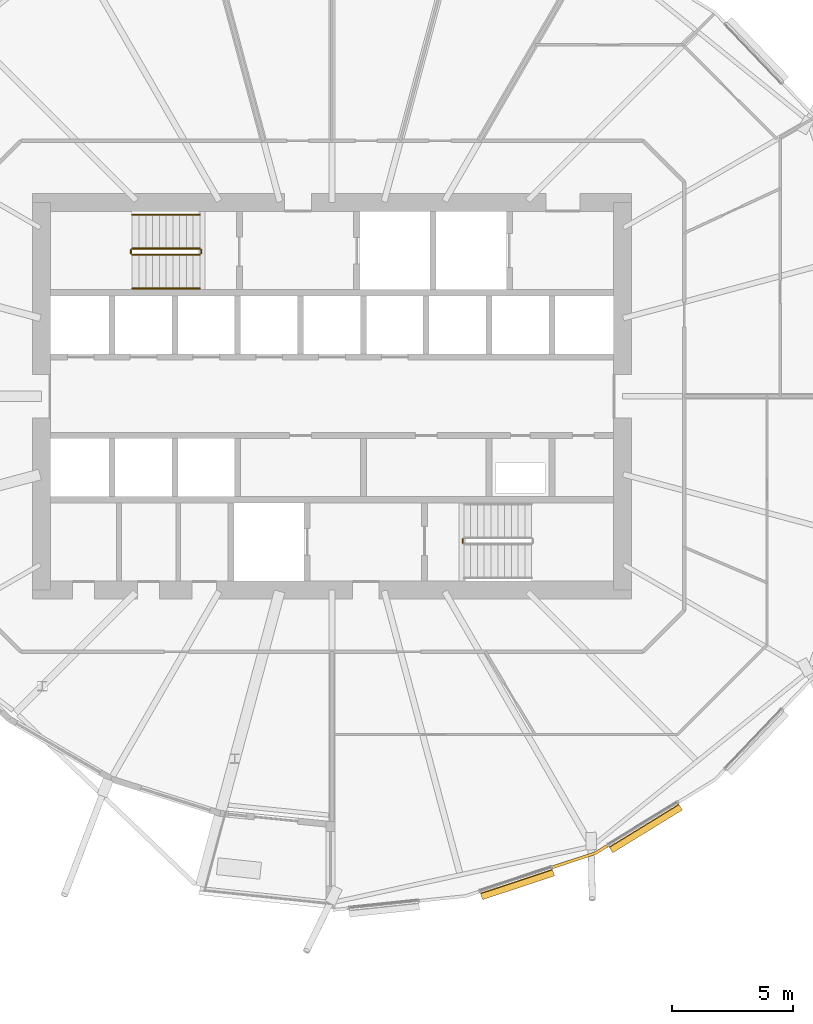
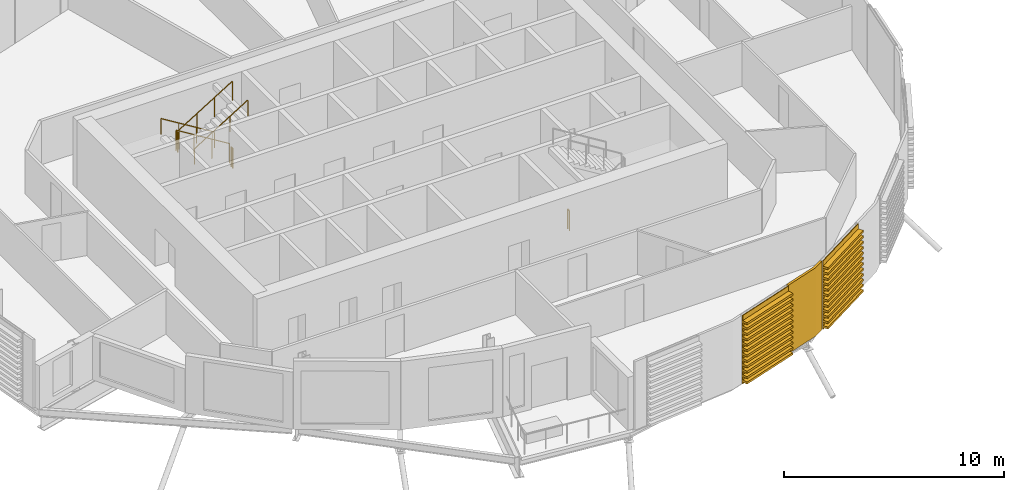
# One storey, part 37 of 43: 7 railings, 3 coverings.
"""IFC4 building model written with IfcOpenShell, lengths in metres."""

from ifc_helpers import new_model, si_unit, direction, frame, origin, origin_2d, place, context, subcontext, project, spatial, polyline, circle, outline, extrude, material, layer, layer_set, material_profile, profile_set, type_object, element, save


model = new_model("IFC4")

# Units and contexts
model_context = context("Model", 3, precision=1e-05, world=origin(), true_north=direction((0.0, 1.0)))
body_context = subcontext(model_context, "Body", "Model", "MODEL_VIEW")
ifc_project = project(units=[si_unit("LENGTHUNIT", "METRE"), si_unit("AREAUNIT", "SQUARE_METRE"), si_unit("VOLUMEUNIT", "CUBIC_METRE"), si_unit("PLANEANGLEUNIT", "RADIAN"), si_unit("MASSUNIT", "GRAM", prefix="KILO")], contexts=[model_context])

# Site, building, storey
site_placement = place(None, origin())
site = spatial("IfcSite", under=ifc_project, at=site_placement, CompositionType="ELEMENT")
building_placement = place(site_placement, origin())
building = spatial("IfcBuilding", under=site, at=building_placement, Name="Rimbun Link Towers", CompositionType="ELEMENT")
storey_placement = place(building_placement, frame((0.0, 0.0, 81.60009765625)))
storey = spatial("IfcBuildingStorey", under=building, at=storey_placement, Name="L19", CompositionType="ELEMENT", Elevation=81.60009765625)

# Covering
ifc_material_1 = material(Name="Terracotta", Category="masonry")
ifc_layer = layer(ifc_material_1, 0.1201171875)
ifc_layer_set = layer_set([ifc_layer], Name="LINK PIER terracotta cladding 120")
covering_type_1 = type_object("IfcCoveringType", Name="LINK PIER terracotta cladding 120", PredefinedType="CLADDING", material=ifc_layer_set)
covering_1_placement = place(storey_placement, origin())
element("IfcCovering", 1, at=covering_1_placement, inside=storey, type_object=covering_type_1, Name="LINK PIER cladding", PredefinedType="CLADDING", context=body_context, shape_type="SweptSolid", body=[
    extrude(outline(polyline([(-20.40234375, -18.51513671875), (-20.88818359375, -18.8134765625), (-22.6630859375, -19.401611328125), (-22.62548828125, -19.515625), (-20.837158203125, -18.9228515625), (-20.339599609375, -18.617431640625), (-20.40234375, -18.51513671875)])), origin(), (0.0, 0.0, 1.0), 3.7998046875),
])

# Railings
ifc_material_2 = material(Name="Stainless steel grade 316", Category="steel")
railing_type_1 = type_object("IfcRailingType", Name="Stair guard", PredefinedType="GUARDRAIL", material=ifc_material_2)
railing_1_placement = place(storey_placement, frame((-37.199951171875, 6.10009765625, 0.172607421875)))
element("IfcRailing", 2, at=railing_1_placement, inside=storey, type_object=railing_type_1, Name="L19 ST1 stair guard 1", PredefinedType="GUARDRAIL", context=body_context, shape_type="SweptSolid", body=[
    extrude(circle(Radius=0.02392578125, at=origin_2d()), frame((0.0, 0.0, 1.076171875), z_axis=(-0.851089632645, 0.0, 0.525020415988), x_axis=(0.0, -1.0, 0.0)), (0.0, 0.0, 1.0), 3.2900390625),
    extrude(circle(Radius=0.02099609375, at=origin_2d()), origin(), (0.0, 0.0, 1.0), 1.052001953125),
    extrude(circle(Radius=0.02099609375, at=origin_2d()), frame((-0.933349609375, 0.0, 0.57568359375)), (0.0, 0.0, 1.0), 1.052001953125),
    extrude(circle(Radius=0.02099609375, at=origin_2d()), frame((-1.86669921875, 0.0, 1.151611328125)), (0.0, 0.0, 1.0), 1.052001953125),
    extrude(circle(Radius=0.02099609375, at=origin_2d()), frame((-2.800048828125, 0.0, 1.727294921875)), (0.0, 0.0, 1.0), 1.052001953125),
])
railing_2_placement = place(storey_placement, frame((-40.050048828125, 6.050048828125, 1.89990234375)))
element("IfcRailing", 3, at=railing_2_placement, inside=storey, type_object=railing_type_1, Name="L19 ST1 stair guard 2", PredefinedType="GUARDRAIL", context=body_context, shape_type="SweptSolid", body=[
    extrude(circle(Radius=0.02392578125, at=origin_2d()), frame((0.0, 0.0, 1.076171875), z_axis=(0.0, -1.0, 0.0), x_axis=(1.0, 0.0, 0.0)), (0.0, 0.0, 1.0), 0.150146484375),
    extrude(circle(Radius=0.02099609375, at=origin_2d()), origin(), (0.0, 0.0, 1.0), 1.052001953125),
    extrude(circle(Radius=0.02099609375, at=origin_2d()), frame((0.0, -0.150146484375, 0.0)), (0.0, 0.0, 1.0), 1.052001953125),
])
railing_3_placement = place(storey_placement, frame((-40.0, 5.85009765625, 2.072509765625)))
element("IfcRailing", 4, at=railing_3_placement, inside=storey, type_object=railing_type_1, Name="L19 ST1 stair guard 3", PredefinedType="GUARDRAIL", context=body_context, shape_type="SweptSolid", body=[
    extrude(circle(Radius=0.02392578125, at=origin_2d()), frame((0.0, 0.0, 1.076171875), z_axis=(0.851089632645, 0.0, 0.525020415988), x_axis=(0.0, 1.0, 0.0)), (0.0, 0.0, 1.0), 3.2900390625),
    extrude(circle(Radius=0.02099609375, at=origin_2d()), origin(), (0.0, 0.0, 1.0), 1.052001953125),
    extrude(circle(Radius=0.02099609375, at=origin_2d()), frame((0.933349609375, 0.0, 0.57568359375)), (0.0, 0.0, 1.0), 1.052001953125),
    extrude(circle(Radius=0.02099609375, at=origin_2d()), frame((1.86669921875, 0.0, 1.151611328125)), (0.0, 0.0, 1.0), 1.052001953125),
    extrude(circle(Radius=0.02099609375, at=origin_2d()), frame((2.800048828125, 0.0, 1.727294921875)), (0.0, 0.0, 1.0), 1.052001953125),
])
railing_4_placement = place(storey_placement, frame((-37.14990234375, 6.050048828125, 0.0)))
element("IfcRailing", 5, at=railing_4_placement, inside=storey, type_object=railing_type_1, Name="L19 ST1 stair guard 4", PredefinedType="GUARDRAIL", context=body_context, shape_type="SweptSolid", body=[
    extrude(circle(Radius=0.02392578125, at=origin_2d()), frame((0.0, 0.0, 1.076171875), z_axis=(0.0, -1.0, 0.0), x_axis=(1.0, 0.0, 0.0)), (0.0, 0.0, 1.0), 0.150146484375),
    extrude(circle(Radius=0.02099609375, at=origin_2d()), origin(), (0.0, 0.0, 1.0), 1.052001953125),
    extrude(circle(Radius=0.02099609375, at=origin_2d()), frame((0.0, -0.150146484375, 0.0)), (0.0, 0.0, 1.0), 1.052001953125),
])
railing_5_placement = place(storey_placement, frame((-26.35009765625, -6.050048828125, 0.0)))
element("IfcRailing", 6, at=railing_5_placement, inside=storey, type_object=railing_type_1, Name="L19 ST2 stair guard 4", PredefinedType="GUARDRAIL", context=body_context, shape_type="SweptSolid", body=[
    extrude(circle(Radius=0.02392578125, at=origin_2d()), frame((0.0, 0.0, 1.076171875), z_axis=(0.0, 1.0, 0.0), x_axis=(-1.0, 0.0, 0.0)), (0.0, 0.0, 1.0), 0.150146484375),
    extrude(circle(Radius=0.02099609375, at=origin_2d()), origin(), (0.0, 0.0, 1.0), 1.052001953125),
    extrude(circle(Radius=0.02099609375, at=origin_2d()), frame((0.0, 0.150146484375, 0.0)), (0.0, 0.0, 1.0), 1.052001953125),
])
ifc_material_3 = material(Name="Stainless steel grade 316", Category="steel")
railing_type_2 = type_object("IfcRailingType", Name="Stair handrail", PredefinedType="HANDRAIL", material=ifc_material_3)
railing_6_placement = place(storey_placement, frame((-37.199951171875, 7.5, 0.172607421875)))
element("IfcRailing", 7, at=railing_6_placement, inside=storey, type_object=railing_type_2, Name="L19 ST1 stair handrail 1", PredefinedType="HANDRAIL", context=body_context, shape_type="SweptSolid", body=[
    extrude(circle(Radius=0.02392578125, at=origin_2d()), frame((0.0, 0.0, 0.8759765625), z_axis=(-0.851089632645, 0.0, 0.525020415988), x_axis=(0.0, -1.0, 0.0)), (0.0, 0.0, 1.0), 3.2900390625),
    extrude(circle(Radius=0.02099609375, at=origin_2d()), origin(), (0.0, 0.0, 1.0), 0.851806640625),
    extrude(circle(Radius=0.02099609375, at=origin_2d()), frame((-0.933349609375, 0.0, 0.57568359375)), (0.0, 0.0, 1.0), 0.851806640625),
    extrude(circle(Radius=0.02099609375, at=origin_2d()), frame((-1.86669921875, 0.0, 1.151611328125)), (0.0, 0.0, 1.0), 0.851806640625),
    extrude(circle(Radius=0.02099609375, at=origin_2d()), frame((-2.800048828125, 0.0, 1.727294921875)), (0.0, 0.0, 1.0), 0.851806640625),
])
railing_7_placement = place(storey_placement, frame((-40.0, 4.449951171875, 2.072509765625)))
element("IfcRailing", 8, at=railing_7_placement, inside=storey, type_object=railing_type_2, Name="L19 ST1 stair handrail 2", PredefinedType="HANDRAIL", context=body_context, shape_type="SweptSolid", body=[
    extrude(circle(Radius=0.02392578125, at=origin_2d()), frame((0.0, 0.0, 0.8759765625), z_axis=(0.851089632645, 0.0, 0.525020415988), x_axis=(0.0, 1.0, 0.0)), (0.0, 0.0, 1.0), 3.2900390625),
    extrude(circle(Radius=0.02099609375, at=origin_2d()), origin(), (0.0, 0.0, 1.0), 0.851806640625),
    extrude(circle(Radius=0.02099609375, at=origin_2d()), frame((0.933349609375, 0.0, 0.57568359375)), (0.0, 0.0, 1.0), 0.851806640625),
    extrude(circle(Radius=0.02099609375, at=origin_2d()), frame((1.86669921875, 0.0, 1.151611328125)), (0.0, 0.0, 1.0), 0.851806640625),
    extrude(circle(Radius=0.02099609375, at=origin_2d()), frame((2.800048828125, 0.0, 1.727294921875)), (0.0, 0.0, 1.0), 0.851806640625),
])

# Coverings
ifc_material_4 = material(Name="Terracotta", Category="masonry")
ifc_material_profile = material_profile(ifc_material_4, outline(polyline([(0.123046875, 0.0), (0.1630859375, 0.0), (0.1630859375, 0.10009765625), (0.423095703125, 0.10009765625), (0.423095703125, 0.219970703125), (0.1630859375, 0.219970703125), (0.1630859375, 0.39990234375), (0.423095703125, 0.39990234375), (0.423095703125, 0.52001953125), (0.1630859375, 0.52001953125), (0.1630859375, 0.699951171875), (0.423095703125, 0.699951171875), (0.423095703125, 0.820068359375), (0.1630859375, 0.820068359375), (0.1630859375, 1.0), (0.423095703125, 1.0), (0.423095703125, 1.1201171875), (0.1630859375, 1.1201171875), (0.1630859375, 1.300048828125), (0.423095703125, 1.300048828125), (0.423095703125, 1.419921875), (0.1630859375, 1.419921875), (0.1630859375, 1.60009765625), (0.423095703125, 1.60009765625), (0.423095703125, 1.719970703125), (0.1630859375, 1.719970703125), (0.1630859375, 1.89990234375), (0.423095703125, 1.89990234375), (0.423095703125, 2.02001953125), (0.1630859375, 2.02001953125), (0.1630859375, 2.199951171875), (0.423095703125, 2.199951171875), (0.423095703125, 2.320068359375), (0.1630859375, 2.320068359375), (0.1630859375, 2.5), (0.423095703125, 2.5), (0.423095703125, 2.6201171875), (0.1630859375, 2.6201171875), (0.1630859375, 2.800048828125), (0.423095703125, 2.800048828125), (0.423095703125, 2.919921875), (0.1630859375, 2.919921875), (0.1630859375, 3.10009765625), (0.423095703125, 3.10009765625), (0.423095703125, 3.219970703125), (0.1630859375, 3.219970703125), (0.1630859375, 3.39990234375), (0.423095703125, 3.39990234375), (0.423095703125, 3.52001953125), (0.1630859375, 3.52001953125), (0.1630859375, 3.800048828125), (0.123046875, 3.800048828125), (0.123046875, 0.0)])), Name="BAGUETTE 120X300")
ifc_profile_set = profile_set([ifc_material_profile], Name="Terracotta")
covering_type_2 = type_object("IfcCoveringType", Name="TERRACOTTA BAGUETTE 120X300 H3800", PredefinedType="CLADDING", material=ifc_profile_set)
covering_2_placement = place(storey_placement, frame((-22.691650390625, -19.4111328125, 0.0), z_axis=(-0.949243070926, -0.314543466469, 0.0), x_axis=(0.314543466469, -0.949243070926, 0.0)))
element("IfcCovering", 9, at=covering_2_placement, inside=storey, type_object=covering_type_2, Name="TERRACOTTA BAGUETTE", PredefinedType="CLADDING", context=body_context, shape_type="SweptSolid", body=[
    extrude(outline(polyline([(0.123046875, 0.0), (0.1630859375, 0.0), (0.1630859375, 0.10009765625), (0.423095703125, 0.10009765625), (0.423095703125, 0.219970703125), (0.1630859375, 0.219970703125), (0.1630859375, 0.39990234375), (0.423095703125, 0.39990234375), (0.423095703125, 0.52001953125), (0.1630859375, 0.52001953125), (0.1630859375, 0.699951171875), (0.423095703125, 0.699951171875), (0.423095703125, 0.820068359375), (0.1630859375, 0.820068359375), (0.1630859375, 1.0), (0.423095703125, 1.0), (0.423095703125, 1.1201171875), (0.1630859375, 1.1201171875), (0.1630859375, 1.300048828125), (0.423095703125, 1.300048828125), (0.423095703125, 1.419921875), (0.1630859375, 1.419921875), (0.1630859375, 1.60009765625), (0.423095703125, 1.60009765625), (0.423095703125, 1.719970703125), (0.1630859375, 1.719970703125), (0.1630859375, 1.89990234375), (0.423095703125, 1.89990234375), (0.423095703125, 2.02001953125), (0.1630859375, 2.02001953125), (0.1630859375, 2.199951171875), (0.423095703125, 2.199951171875), (0.423095703125, 2.320068359375), (0.1630859375, 2.320068359375), (0.1630859375, 2.5), (0.423095703125, 2.5), (0.423095703125, 2.6201171875), (0.1630859375, 2.6201171875), (0.1630859375, 2.800048828125), (0.423095703125, 2.800048828125), (0.423095703125, 2.919921875), (0.1630859375, 2.919921875), (0.1630859375, 3.10009765625), (0.423095703125, 3.10009765625), (0.423095703125, 3.219970703125), (0.1630859375, 3.219970703125), (0.1630859375, 3.39990234375), (0.423095703125, 3.39990234375), (0.423095703125, 3.52001953125), (0.1630859375, 3.52001953125), (0.1630859375, 3.800048828125), (0.123046875, 3.800048828125), (0.123046875, 0.0)])), origin(), (0.0, 0.0, 1.0), 3.1318359375),
])
covering_3_placement = place(storey_placement, frame((-17.495361328125, -16.730224609375, 0.0), z_axis=(-0.85216614194, -0.523271312544, 0.0), x_axis=(0.523271312544, -0.85216614194, 0.0)))
element("IfcCovering", 10, at=covering_3_placement, inside=storey, type_object=covering_type_2, Name="TERRACOTTA BAGUETTE", PredefinedType="CLADDING", context=body_context, shape_type="SweptSolid", body=[
    extrude(outline(polyline([(0.123046875, 0.0), (0.1630859375, 0.0), (0.1630859375, 0.10009765625), (0.423095703125, 0.10009765625), (0.423095703125, 0.219970703125), (0.1630859375, 0.219970703125), (0.1630859375, 0.39990234375), (0.423095703125, 0.39990234375), (0.423095703125, 0.52001953125), (0.1630859375, 0.52001953125), (0.1630859375, 0.699951171875), (0.423095703125, 0.699951171875), (0.423095703125, 0.820068359375), (0.1630859375, 0.820068359375), (0.1630859375, 1.0), (0.423095703125, 1.0), (0.423095703125, 1.1201171875), (0.1630859375, 1.1201171875), (0.1630859375, 1.300048828125), (0.423095703125, 1.300048828125), (0.423095703125, 1.419921875), (0.1630859375, 1.419921875), (0.1630859375, 1.60009765625), (0.423095703125, 1.60009765625), (0.423095703125, 1.719970703125), (0.1630859375, 1.719970703125), (0.1630859375, 1.89990234375), (0.423095703125, 1.89990234375), (0.423095703125, 2.02001953125), (0.1630859375, 2.02001953125), (0.1630859375, 2.199951171875), (0.423095703125, 2.199951171875), (0.423095703125, 2.320068359375), (0.1630859375, 2.320068359375), (0.1630859375, 2.5), (0.423095703125, 2.5), (0.423095703125, 2.6201171875), (0.1630859375, 2.6201171875), (0.1630859375, 2.800048828125), (0.423095703125, 2.800048828125), (0.423095703125, 2.919921875), (0.1630859375, 2.919921875), (0.1630859375, 3.10009765625), (0.423095703125, 3.10009765625), (0.423095703125, 3.219970703125), (0.1630859375, 3.219970703125), (0.1630859375, 3.39990234375), (0.423095703125, 3.39990234375), (0.423095703125, 3.52001953125), (0.1630859375, 3.52001953125), (0.1630859375, 3.800048828125), (0.123046875, 3.800048828125), (0.123046875, 0.0)])), origin(), (0.0, 0.0, 1.0), 3.381103515625),
])

save(model, "model.ifc")
